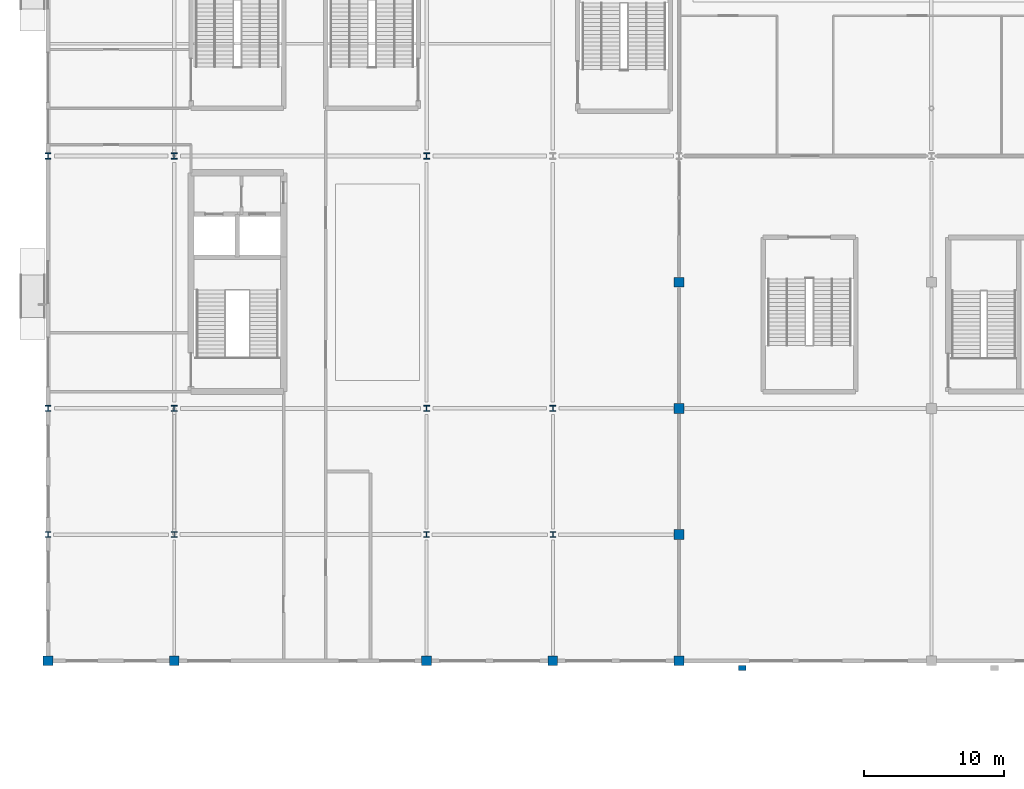
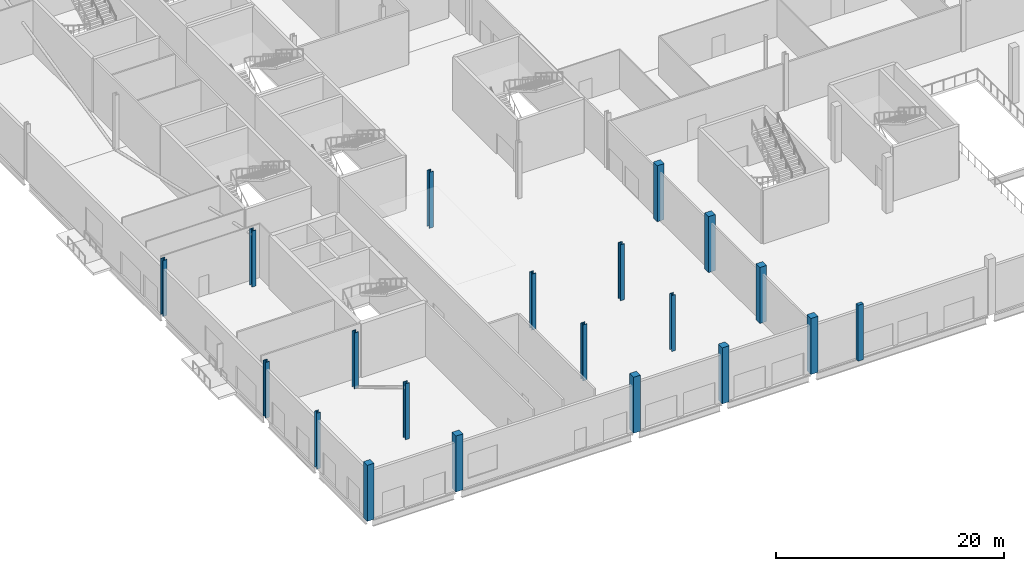
# One storey, part 1 of 84: 20 columns.
"""IFC4 building model written with IfcOpenShell, lengths in metres."""

from ifc_helpers import new_model, si_unit, direction, frame, origin, origin_2d, place, context, subcontext, project, spatial, rectangle, i_section, extrude, material, material_profile, profile_set, type_object, element, save


model = new_model("IFC4")

# Units and contexts
model_context = context("Model", 3, precision=1e-05, world=origin(), true_north=direction((0.0, 1.0)))
body_context = subcontext(model_context, "Body", "Model", "MODEL_VIEW")
ifc_project = project(units=[si_unit("LENGTHUNIT", "METRE"), si_unit("AREAUNIT", "SQUARE_METRE"), si_unit("VOLUMEUNIT", "CUBIC_METRE"), si_unit("PLANEANGLEUNIT", "RADIAN"), si_unit("MASSUNIT", "GRAM", prefix="KILO")], contexts=[model_context])

# Site, building, storey
site_placement = place(None, origin())
site = spatial("IfcSite", under=ifc_project, at=site_placement, CompositionType="ELEMENT")
building_placement = place(site_placement, origin())
building = spatial("IfcBuilding", under=site, at=building_placement, Name="Kisiwana Market Hall", CompositionType="ELEMENT")
storey_placement = place(building_placement, origin())
storey = spatial("IfcBuildingStorey", under=building, at=storey_placement, Name="L00", CompositionType="ELEMENT", Elevation=0.0)

# Columns
ifc_material_1 = material(Name="Concrete C40/50", Category="concrete")
ifc_material_profile_1 = material_profile(ifc_material_1, rectangle(XDim=0.699951171875, YDim=0.699951171875, at=origin_2d()), Name="RC 700x700")
ifc_profile_set_1 = profile_set([ifc_material_profile_1], Name="Concrete C40/50")
column_type_1 = type_object("IfcColumnType", Name="COL-RC-POD-700", PredefinedType="COLUMN", material=ifc_profile_set_1)
for number, where, z_axis, x_axis, name in (
    (1, (0.0, 0.0, 0.0), (0.0, 0.0, 1.0), (1.0, 0.0, 0.0), "Column A/1 (L00) C-0185"),
    (2, (9.0, 0.0, 0.0), (0.0, 0.0, 1.0), (1.0, 0.0, 0.0), "Column A/2 (L00) C-0195"),
    (3, (27.0, 0.0, 0.0), (0.0, 0.0, 1.0), (1.0, 0.0, 0.0), "Column A/4 (L00) C-0204"),
    (4, (36.0, 0.0, 0.0), (0.0, 0.0, 1.0), (1.0, 0.0, 0.0), "Column A/5 (L00) C-0214"),
    (5, (45.0, 0.0, 0.0), (0.0, 0.0, 1.0), (1.0, 0.0, 0.0), "Column A/6 (L00) C-0223"),
    (6, (45.0, 9.0, 0.0), (0.0, 0.0, 1.0), (1.0, 0.0, 0.0), "Column B/6 (L00) C-0224"),
    (7, (45.0, 18.0, 0.0), (0.0, 0.0, 1.0), (1.0, 0.0, 0.0), "Column C/6 (L00) C-0225"),
    (8, (45.0, 27.0, 0.0), (0.0, 0.0, 1.0), (1.0, 0.0, 0.0), "Column D/6 (L00) C-0226"),
):
    element("IfcColumn", number, at=place(storey_placement, frame(where, z_axis=z_axis, x_axis=x_axis)), inside=storey, type_object=column_type_1, Name=name, PredefinedType="COLUMN", context=body_context, shape_type="SweptSolid", body=[
        extrude(rectangle(XDim=0.699951171875, YDim=0.699951171875, at=origin_2d()), origin(), (0.0, 0.0, 1.0), 6.0),
    ])
ifc_material_2 = material(Name="Steel S355", Category="steel")
ifc_material_profile_2 = material_profile(ifc_material_2, i_section(OverallWidth=0.412109375, OverallDepth=0.43505859375, WebThickness=0.035888671875, FlangeThickness=0.05810546875, at=origin_2d()), Name="HD 400x463")
ifc_profile_set_2 = profile_set([ifc_material_profile_2], Name="Steel S355")
column_type_2 = type_object("IfcColumnType", Name="COL-STL-HD463", PredefinedType="COLUMN", material=ifc_profile_set_2)
for number, where, z_axis, x_axis, name in (
    (9, (0.0, 18.0, 0.0), (0.0, 0.0, 1.0), (1.0, 0.0, 0.0), "Column C/1 (L00) C-0187"),
    (10, (0.0, 36.0, 0.0), (0.0, 0.0, 1.0), (1.0, 0.0, 0.0), "Column E/1 (L00) C-0188"),
    (11, (9.0, 18.0, 0.0), (0.0, 0.0, 1.0), (1.0, 0.0, 0.0), "Column C/2 (L00) C-0197"),
    (12, (9.0, 36.0, 0.0), (0.0, 0.0, 1.0), (1.0, 0.0, 0.0), "Column E/2 (L00) C-0198"),
    (13, (27.0, 18.0, 0.0), (0.0, 0.0, 1.0), (1.0, 0.0, 0.0), "Column C/4 (L00) C-0206"),
    (14, (27.0, 36.0, 0.0), (0.0, 0.0, 1.0), (1.0, 0.0, 0.0), "Column E/4 (L00) C-0207"),
    (15, (36.0, 18.0, 0.0), (0.0, 0.0, 1.0), (1.0, 0.0, 0.0), "Column C/5 (L00) C-0216"),
):
    element("IfcColumn", number, at=place(storey_placement, frame(where, z_axis=z_axis, x_axis=x_axis)), inside=storey, type_object=column_type_2, Name=name, PredefinedType="COLUMN", context=body_context, shape_type="SweptSolid", body=[
        extrude(i_section(OverallWidth=0.412109375, OverallDepth=0.43505859375, WebThickness=0.035888671875, FlangeThickness=0.05810546875, at=origin_2d()), origin(), (0.0, 0.0, 1.0), 6.0),
    ])
ifc_material_3 = material(Name="Steel S355", Category="steel")
ifc_material_profile_3 = material_profile(ifc_material_3, i_section(OverallWidth=0.403076171875, OverallDepth=0.406494140625, WebThickness=0.026611328125, FlangeThickness=0.04296875, at=origin_2d()), Name="UC 356x406x340")
ifc_profile_set_3 = profile_set([ifc_material_profile_3], Name="Steel S355")
column_type_3 = type_object("IfcColumnType", Name="COL-STL-UC340", PredefinedType="COLUMN", material=ifc_profile_set_3)
for number, where, z_axis, x_axis, name in (
    (16, (0.0, 9.0, 0.0), (0.0, 0.0, 1.0), (1.0, 0.0, 0.0), "Column B/1 (L00) C-0186"),
    (17, (9.0, 9.0, 0.0), (0.0, 0.0, 1.0), (1.0, 0.0, 0.0), "Column B/2 (L00) C-0196"),
    (18, (27.0, 9.0, 0.0), (0.0, 0.0, 1.0), (1.0, 0.0, 0.0), "Column B/4 (L00) C-0205"),
    (19, (36.0, 9.0, 0.0), (0.0, 0.0, 1.0), (1.0, 0.0, 0.0), "Column B/5 (L00) C-0215"),
):
    element("IfcColumn", number, at=place(storey_placement, frame(where, z_axis=z_axis, x_axis=x_axis)), inside=storey, type_object=column_type_3, Name=name, PredefinedType="COLUMN", context=body_context, shape_type="SweptSolid", body=[
        extrude(i_section(OverallWidth=0.403076171875, OverallDepth=0.406494140625, WebThickness=0.026611328125, FlangeThickness=0.04296875, at=origin_2d()), origin(), (0.0, 0.0, 1.0), 6.0),
    ])
ifc_material_4 = material(Name="Concrete C40/50", Category="concrete")
ifc_material_profile_4 = material_profile(ifc_material_4, rectangle(XDim=0.550048828125, YDim=0.35009765625, at=origin_2d()), Name="PIL 550x350")
ifc_profile_set_4 = profile_set([ifc_material_profile_4], Name="Concrete C40/50")
column_type_4 = type_object("IfcColumnType", Name="PIL-CONC-550", PredefinedType="PILASTER", material=ifc_profile_set_4)
column_placement = place(storey_placement, frame((49.5, -0.5, 0.0), z_axis=(0.0, 0.0, 1.0), x_axis=(1.0, 0.0, 0.0)))
element("IfcColumn", 20, at=column_placement, inside=storey, type_object=column_type_4, Name="Facade pilaster A/6 (L00) C-0344", PredefinedType="PILASTER", context=body_context, shape_type="SweptSolid", body=[
    extrude(rectangle(XDim=0.550048828125, YDim=0.35009765625, at=origin_2d()), origin(), (0.0, 0.0, 1.0), 6.0),
])

save(model, "model.ifc")
